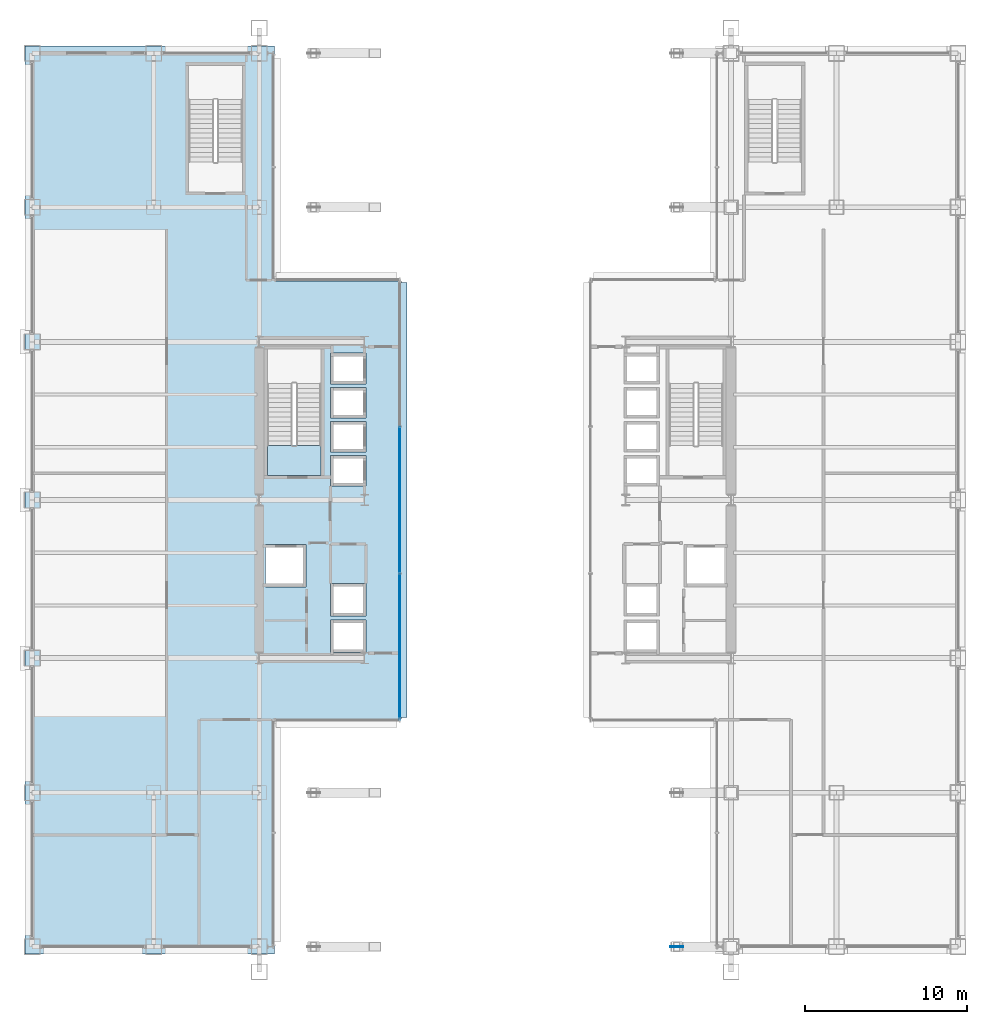
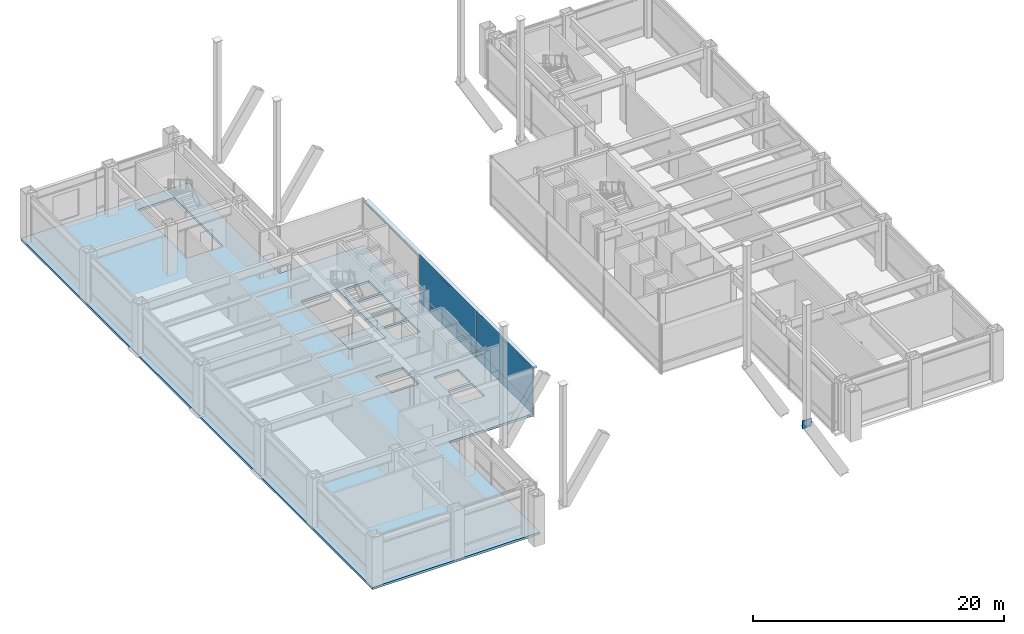
# One storey, part 28 of 40: 6 plates, 2 slabs, 1 element without a shape of its own.
"""IFC4 building model written with IfcOpenShell, lengths in metres."""

from ifc_helpers import new_model, si_unit, direction, frame, origin, origin_2d, place, context, subcontext, project, spatial, polyline, rectangle, outline, extrude, material, layer, layer_set, type_object, element, aggregate, save


model = new_model("IFC4")

# Units and contexts
model_context = context("Model", 3, precision=1e-05, world=origin(), true_north=direction((0.0, 1.0)))
body_context = subcontext(model_context, "Body", "Model", "MODEL_VIEW")
ifc_project = project(units=[si_unit("LENGTHUNIT", "METRE"), si_unit("AREAUNIT", "SQUARE_METRE"), si_unit("VOLUMEUNIT", "CUBIC_METRE"), si_unit("PLANEANGLEUNIT", "RADIAN"), si_unit("MASSUNIT", "GRAM", prefix="KILO")], contexts=[model_context])

# Site, building, storey
site_placement = place(None, origin())
site = spatial("IfcSite", under=ifc_project, at=site_placement, CompositionType="ELEMENT")
building_placement = place(site_placement, origin())
building = spatial("IfcBuilding", under=site, at=building_placement, Name="Brelmoor Portico Tower", CompositionType="ELEMENT")
storey_placement = place(building_placement, frame((0.0, 0.0, 4.800048828125)))
storey = spatial("IfcBuildingStorey", under=building, at=storey_placement, Name="L01", CompositionType="ELEMENT", Elevation=4.800048828125)

# Curtain wall, plates
ifc_material_1 = material(Name="Anodised Aluminium Alloy 6063-T6", Category="aluminium")
ifc_layer_1 = layer(ifc_material_1, 0.179931640625)
ifc_layer_set_1 = layer_set([ifc_layer_1], Name="Anodised Aluminium Alloy 6063-T6")
curtain_wall_type = type_object("IfcCurtainWallType", Name="CW-PODIUM-ARCH", PredefinedType="NOTDEFINED", material=ifc_layer_set_1)
curtain_wall_placement = place(storey_placement, origin())
curtain_wall = element("IfcCurtainWall", 1, at=curtain_wall_placement, inside=storey, type_object=curtain_wall_type, Name="L01 Curtain Wall CW-L01-15", PredefinedType="NOTDEFINED")
ifc_material_2 = material(Name="Double-Silver Low-E Insulated Glazing", Category="glass")
ifc_layer_2 = layer(ifc_material_2, 0.035888671875)
ifc_layer_set_2 = layer_set([ifc_layer_2], Name="Double-Silver Low-E Insulated Glazing")
plate_type_1 = type_object("IfcPlateType", Name="PT-CW-GLASS", PredefinedType="CURTAIN_PANEL", material=ifc_layer_set_2)
plate_1_placement = place(storey_placement, frame((-5.8798828125, -9.05322265625, 0.849853515625), z_axis=(0.0, 0.0, 1.0), x_axis=(0.0, 1.0, 0.0)))
plate_1 = element("IfcPlate", 2, at=plate_1_placement, type_object=plate_type_1, Name="CW-L01-15 Vision Glass Panel 00", PredefinedType="CURTAIN_PANEL", context=body_context, shape_type="SweptSolid", body=[
    extrude(rectangle(XDim=9.023193359375, YDim=0.035888671875, at=origin_2d()), origin(), (0.0, 0.0, 1.0), 3.72998046875),
])
plate_2_placement = place(storey_placement, frame((-5.8798828125, 0.0, 0.849853515625), z_axis=(0.0, 0.0, 1.0), x_axis=(0.0, 1.0, 0.0)))
plate_2 = element("IfcPlate", 3, at=plate_2_placement, type_object=plate_type_1, Name="CW-L01-15 Vision Glass Panel 01", PredefinedType="CURTAIN_PANEL", context=body_context, shape_type="SweptSolid", body=[
    extrude(rectangle(XDim=9.023193359375, YDim=0.035888671875, at=origin_2d()), origin(), (0.0, 0.0, 1.0), 3.72998046875),
])
ifc_material_3 = material(Name="Pale Champagne Anodised Aluminium Panel", Category="aluminium")
ifc_layer_3 = layer(ifc_material_3, 0.050048828125)
ifc_layer_set_3 = layer_set([ifc_layer_3], Name="Pale Champagne Anodised Aluminium Panel")
plate_type_2 = type_object("IfcPlateType", Name="PT-CW-SPANDREL", PredefinedType="SHEET", material=ifc_layer_set_3)
plate_3_placement = place(storey_placement, frame((-5.8798828125, -9.05322265625, 0.0), z_axis=(0.0, 0.0, 1.0), x_axis=(0.0, 1.0, 0.0)))
plate_3 = element("IfcPlate", 4, at=plate_3_placement, type_object=plate_type_2, Name="CW-L01-15 Spandrel Panel 00", PredefinedType="SHEET", context=body_context, shape_type="SweptSolid", body=[
    extrude(rectangle(XDim=9.023193359375, YDim=0.050048828125, at=origin_2d()), origin(), (0.0, 0.0, 1.0), 0.85009765625),
])
plate_4_placement = place(storey_placement, frame((-5.8798828125, 0.0, 0.0), z_axis=(0.0, 0.0, 1.0), x_axis=(0.0, 1.0, 0.0)))
plate_4 = element("IfcPlate", 5, at=plate_4_placement, type_object=plate_type_2, Name="CW-L01-15 Spandrel Panel 01", PredefinedType="SHEET", context=body_context, shape_type="SweptSolid", body=[
    extrude(rectangle(XDim=9.023193359375, YDim=0.050048828125, at=origin_2d()), origin(), (0.0, 0.0, 1.0), 0.85009765625),
])
aggregate(curtain_wall, [plate_3, plate_1, plate_4, plate_2])

# Plates
ifc_material_4 = material(Name="Steel Q355B", Category="steel")
ifc_layer_4 = layer(ifc_material_4, 0.050048828125)
ifc_layer_set_4 = layer_set([ifc_layer_4], Name="Steel Q355B")
plate_type_3 = type_object("IfcPlateType", Name="PT-GUSSET-800", PredefinedType="USERDEFINED", material=ifc_layer_set_4)
plate_5_placement = place(storey_placement, frame((11.199951171875, -27.550048828125, 1.19970703125), z_axis=(0.0, 0.0, 1.0), x_axis=(1.0, 0.0, 0.0)))
element("IfcPlate", 6, at=plate_5_placement, inside=storey, type_object=plate_type_3, Name="Portico Arch Gusset Plate S1-7", ObjectType="GUSSET PLATE", PredefinedType="USERDEFINED", context=body_context, shape_type="SweptSolid", body=[
    extrude(rectangle(XDim=0.800048828125, YDim=0.050048828125, at=origin_2d()), origin(), (0.0, 0.0, 1.0), 0.800048828125),
])
ifc_material_5 = material(Name="Pale Champagne Perforated Aluminium Solar Screen", Category="aluminium")
ifc_layer_5 = layer(ifc_material_5, 0.054931640625)
ifc_layer_set_5 = layer_set([ifc_layer_5], Name="Pale Champagne Perforated Aluminium Solar Screen")
plate_type_4 = type_object("IfcPlateType", Name="PT-SOLAR-LOUVRE", PredefinedType="SHEET", material=ifc_layer_set_5)
plate_6_placement = place(storey_placement, frame((-5.669921875, 0.0, 4.27001953125), z_axis=(0.0, 0.0, 1.0), x_axis=(0.0, 1.0, 0.0)))
element("IfcPlate", 7, at=plate_6_placement, inside=storey, type_object=plate_type_4, Name="CW-L01-15 Caribbean Brise-Soleil Solar Screen", PredefinedType="SHEET", context=body_context, shape_type="SweptSolid", body=[
    extrude(rectangle(XDim=26.800048828125, YDim=0.4599609375, at=origin_2d()), origin(), (0.0, 0.0, 1.0), 0.139892578125),
])

# Slabs
ifc_material_6 = material(Name="Concrete C40", Category="concrete")
ifc_layer_6 = layer(ifc_material_6, 0.219970703125)
ifc_layer_set_6 = layer_set([ifc_layer_6], Name="Concrete C40")
slab_type_1 = type_object("IfcSlabType", Name="SL-FLOOR-220", PredefinedType="FLOOR", material=ifc_layer_set_6)
slab_1_placement = place(storey_placement, frame((0.0, 0.0, -0.219970703125)))
element("IfcSlab", 8, at=slab_1_placement, inside=storey, type_object=slab_type_1, Name="L01 West Pier Floor Slab", PredefinedType="FLOOR", context=body_context, shape_type="SweptSolid", body=[
    extrude(outline(polyline([(-29.0, -28.0), (-13.60009765625, -28.0), (-13.60009765625, -13.5), (-5.800048828125, -13.5), (-5.800048828125, 13.5), (-13.60009765625, 13.5), (-13.60009765625, 28.0), (-29.0, 28.0), (-29.0, -28.0)]), holes=[polyline([(-10.72998046875, 1.5), (-10.72998046875, 9.300048828125), (-14.050048828125, 9.300048828125), (-14.050048828125, 1.5), (-10.72998046875, 1.5)]), polyline([(-15.580078125, 19.0), (-15.580078125, 26.800048828125), (-18.89990234375, 26.800048828125), (-18.89990234375, 19.0), (-15.580078125, 19.0)]), polyline([(-10.14990234375, 0.85009765625), (-7.949951171875, 0.85009765625), (-7.949951171875, 2.75), (-10.14990234375, 2.75), (-10.14990234375, 0.85009765625)]), polyline([(-10.14990234375, 2.949951171875), (-7.949951171875, 2.949951171875), (-7.949951171875, 4.85009765625), (-10.14990234375, 4.85009765625), (-10.14990234375, 2.949951171875)]), polyline([(-10.14990234375, 5.050048828125), (-7.949951171875, 5.050048828125), (-7.949951171875, 6.949951171875), (-10.14990234375, 6.949951171875), (-10.14990234375, 5.050048828125)]), polyline([(-10.14990234375, 7.14990234375), (-7.949951171875, 7.14990234375), (-7.949951171875, 9.050048828125), (-10.14990234375, 9.050048828125), (-10.14990234375, 7.14990234375)]), polyline([(-10.14990234375, -9.39990234375), (-7.949951171875, -9.39990234375), (-7.949951171875, -7.39990234375), (-10.14990234375, -7.39990234375), (-10.14990234375, -9.39990234375)]), polyline([(-10.14990234375, -7.14990234375), (-7.949951171875, -7.14990234375), (-7.949951171875, -5.14990234375), (-10.14990234375, -5.14990234375), (-10.14990234375, -7.14990234375)]), polyline([(-14.14990234375, -5.35009765625), (-11.64990234375, -5.35009765625), (-11.64990234375, -2.75), (-14.14990234375, -2.75), (-14.14990234375, -5.35009765625)])]), origin(), (0.0, 0.0, 1.0), 0.219970703125),
])
ifc_layer_7 = layer(ifc_material_6, 0.219970703125)
ifc_layer_set_7 = layer_set([ifc_layer_7], Name="Concrete C40")
slab_type_2 = type_object("IfcSlabType", Name="SL-STAIR-FL220", PredefinedType="LANDING", material=ifc_layer_set_7)
slab_2_placement = place(storey_placement, frame((0.0, 0.0, -0.219970703125)))
element("IfcSlab", 9, at=slab_2_placement, inside=storey, type_object=slab_type_2, Name="L01 ST-W Structural Floor Landing Slab", PredefinedType="LANDING", context=body_context, shape_type="SweptSolid", body=[
    extrude(outline(polyline([(-10.72998046875, 1.5), (-10.72998046875, 3.35009765625), (-14.050048828125, 3.35009765625), (-14.050048828125, 1.5), (-10.72998046875, 1.5)])), origin(), (0.0, 0.0, 1.0), 0.219970703125),
])

save(model, "model.ifc")
